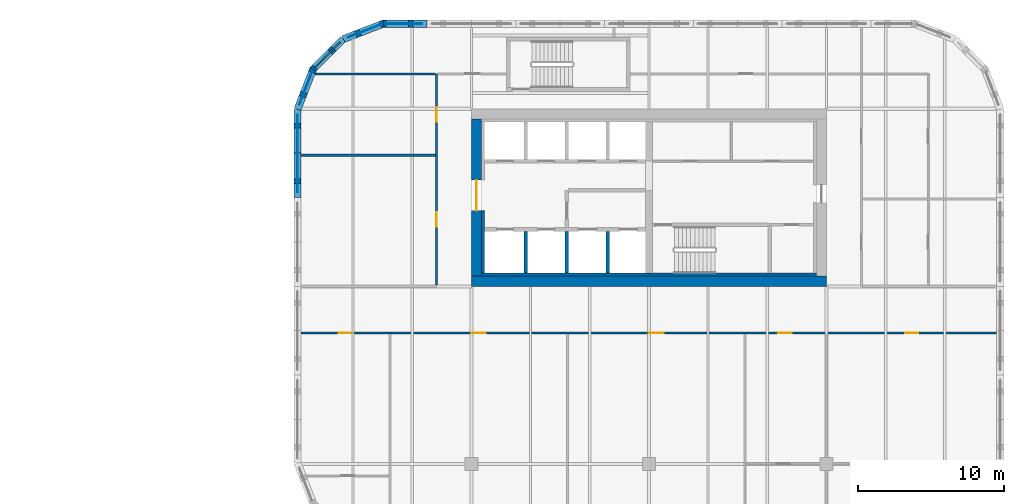
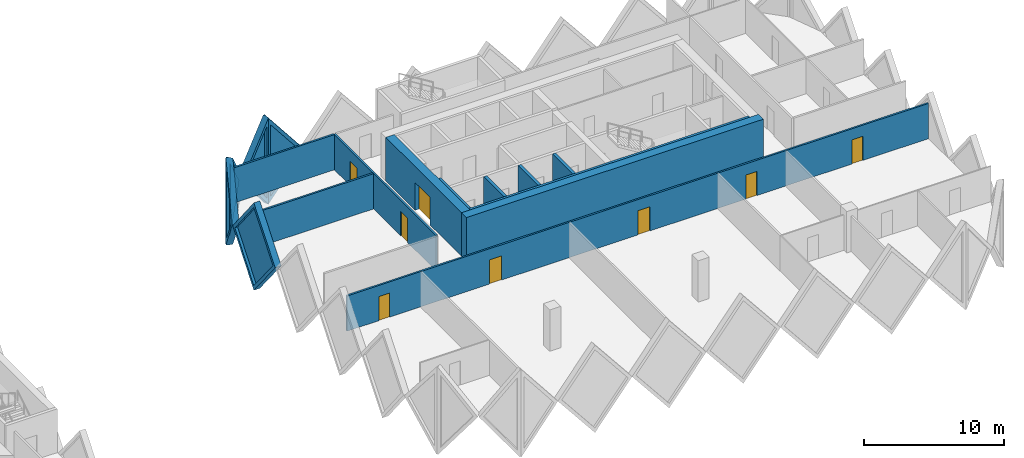
# One storey, part 12 of 18: 16 walls, 8 doors, 5 plates, 13 openings.
"""IFC4 building model written with IfcOpenShell, lengths in metres."""

from ifc_helpers import new_model, si_unit, direction, frame, frame_2d, origin, place, context, subcontext, project, spatial, polyline, rectangle, outline, extrude, faceted_brep, source, transform, mapped, material, layer, layer_set, type_object, element, fill, save


model = new_model("IFC4")

# Units and contexts
model_context = context("Model", 3, precision=1e-05, world=origin(), true_north=direction((0.0, 1.0)))
body_context = subcontext(model_context, "Body", "Model", "MODEL_VIEW")
ifc_project = project(units=[si_unit("LENGTHUNIT", "METRE"), si_unit("AREAUNIT", "SQUARE_METRE"), si_unit("VOLUMEUNIT", "CUBIC_METRE"), si_unit("PLANEANGLEUNIT", "RADIAN"), si_unit("MASSUNIT", "GRAM", prefix="KILO")], contexts=[model_context])

# Site, building, storey
site_placement = place(None, origin())
site = spatial("IfcSite", under=ifc_project, at=site_placement, CompositionType="ELEMENT")
building_placement = place(site_placement, origin())
building = spatial("IfcBuilding", under=site, at=building_placement, Name="Tessera Gate Towers", CompositionType="ELEMENT")
storey_placement = place(building_placement, frame((0.0, 0.0, 41.0)))
storey = spatial("IfcBuildingStorey", under=building, at=storey_placement, Name="L09", CompositionType="ELEMENT", Elevation=41.0)

# Walls
ifc_material_1 = material(Name="Concrete C40/50", Category="concrete")
ifc_layer_1 = layer(ifc_material_1, 0.25)
ifc_layer_set_1 = layer_set([ifc_layer_1], Name="CORE ENCLOSURE WALL 250")
wall_type_1 = type_object("IfcWallType", Name="CORE ENCLOSURE WALL 250", PredefinedType="SOLIDWALL", material=ifc_layer_set_1)
for number, where, z_axis, x_axis, name in (
    (1, (104.14990234375, 37.5, 0.0), (0.0, 0.0, 1.0), (0.0, 1.0, 0.0), "L09 shaft and stair enclosure wall"),
    (2, (101.324951171875, 37.5, 0.0), (0.0, 0.0, 1.0), (0.0, 1.0, 0.0), "L09 shaft and stair enclosure wall"),
    (3, (106.97509765625, 37.5, 0.0), (0.0, 0.0, 1.0), (0.0, 1.0, 0.0), "L09 shaft and stair enclosure wall"),
):
    element("IfcWall", number, at=place(storey_placement, frame(where, z_axis=z_axis, x_axis=x_axis)), inside=storey, type_object=wall_type_1, Name=name, PredefinedType="SOLIDWALL", context=body_context, shape_type="SweptSolid", body=[
        extrude(rectangle(XDim=2.875, YDim=0.25, at=frame_2d((1.4375, 0.0))), origin(), (0.0, 0.0, 1.0), 3.800048828125),
    ])
ifc_material_2 = material(Name="Concrete C60/75", Category="concrete")
ifc_layer_2 = layer(ifc_material_2, 0.699951171875)
ifc_layer_set_2 = layer_set([ifc_layer_2], Name="CORE SHEAR WALL 700 C60/75")
wall_type_2 = type_object("IfcWallType", Name="CORE SHEAR WALL 700 C60/75", PredefinedType="SHEAR", material=ifc_layer_set_2)
wall_1_placement = place(storey_placement, frame((122.0, 36.949951171875, 0.0), z_axis=(0.0, 0.0, 1.0), x_axis=(-1.0, 0.0, 0.0)))
element("IfcWall", 4, at=wall_1_placement, inside=storey, type_object=wall_type_2, Name="Core wall S L09", PredefinedType="SHEAR", context=body_context, shape_type="SweptSolid", body=[
    extrude(rectangle(XDim=24.39990234375, YDim=0.699951171875, at=frame_2d((12.199951171875, 0.0))), origin(), (0.0, 0.0, 1.0), 3.800048828125),
])

# Wall, opening, door
wall_2_placement = place(storey_placement, frame((97.949951171875, 37.300048828125, 0.0), z_axis=(0.0, 0.0, 1.0), x_axis=(0.0, 1.0, 0.0)))
wall_2 = element("IfcWall", 5, at=wall_2_placement, inside=storey, type_object=wall_type_2, Name="Core wall W L09", PredefinedType="SHEAR", context=body_context, shape_type="SweptSolid", body=[
    extrude(rectangle(XDim=10.800048828125, YDim=0.699951171875, at=frame_2d((5.39990234375, 0.0))), origin(), (0.0, 0.0, 1.0), 3.800048828125),
])
shared_shape_1 = source(origin(), body_context, "Body", "SweptSolid", [
    extrude(rectangle(XDim=2.10009765625, YDim=2.39990234375, at=frame_2d((1.050048828125, 1.199951171875))), frame((0.0, 0.35986328125, 0.0), z_axis=(0.0, -1.0, 0.0), x_axis=(1.0, 0.0, 0.0)), (0.0, 0.0, 1.0), 0.719970703125),
])
opening_1_placement = place(wall_2_placement, frame((4.5, 0.0, 0.0)))
opening_1 = element("IfcOpeningElement", 6, at=opening_1_placement, cuts=wall_2, Name="Opening DD-T2-04-01", PredefinedType="OPENING", context=body_context, shape_type="MappedRepresentation", body=[
    mapped(shared_shape_1, transform((0.0, 0.0, 0.0), scale=1.0)),
])
ifc_material_3 = material(Name="Hollow steel fire door", Category="steel")
door_type_1 = type_object("IfcDoorType", Name="CORE DOOR DD 2100x2400", OperationType="NOTDEFINED", PredefinedType="DOOR", material=ifc_material_3)
shared_shape_2 = source(origin(), body_context, "Body", "SweptSolid", [
    extrude(rectangle(XDim=2.10009765625, YDim=2.39990234375, at=frame_2d((1.050048828125, 1.199951171875))), frame((0.0, 0.02490234375, 0.0), z_axis=(0.0, -1.0, 0.0), x_axis=(1.0, 0.0, 0.0)), (0.0, 0.0, 1.0), 0.050048828125),
])
door_1_placement = place(opening_1_placement, origin())
door_1 = element("IfcDoor", 7, at=door_1_placement, inside=storey, type_object=door_type_1, Name="Core entrance door", OperationType="DOUBLE_DOOR_SINGLE_SWING", OverallHeight=2.39990234375, OverallWidth=2.10009765625, PredefinedType="DOOR", context=body_context, shape_type="MappedRepresentation", body=[
    mapped(shared_shape_2, transform((0.0, 0.0, 0.0), scale=1.0)),
])
fill(opening_1, door_1)

# Walls
ifc_material_4 = material(Name="Concrete C60/75", Category="concrete")
ifc_layer_3 = layer(ifc_material_4, 0.199951171875)
ifc_layer_set_3 = layer_set([ifc_layer_3], Name="CORE WALL THICKENING 200")
wall_type_3 = type_object("IfcWallType", Name="CORE WALL THICKENING 200", PredefinedType="SOLIDWALL", material=ifc_layer_set_3)
wall_3_placement = place(storey_placement, frame((98.300048828125, 37.39990234375, 0.0), z_axis=(0.0, 0.0, 1.0), x_axis=(1.0, 0.0, 0.0)))
element("IfcWall", 8, at=wall_3_placement, inside=storey, type_object=wall_type_3, Name="Core wall thickening S L09", PredefinedType="SOLIDWALL", context=body_context, shape_type="SweptSolid", body=[
    extrude(rectangle(XDim=23.0, YDim=0.199951171875, at=frame_2d((11.5, 0.0))), origin(), (0.0, 0.0, 1.0), 3.800048828125),
])
wall_4_placement = place(storey_placement, frame((98.39990234375, 37.5, 0.0), z_axis=(0.0, 0.0, 1.0), x_axis=(0.0, 1.0, 0.0)))
element("IfcWall", 9, at=wall_4_placement, inside=storey, type_object=wall_type_3, Name="Core wall thickening W L09", PredefinedType="SOLIDWALL", context=body_context, shape_type="SweptSolid", body=[
    extrude(rectangle(XDim=4.300048828125, YDim=0.199951171875, at=frame_2d((2.14990234375, 0.0))), origin(), (0.0, 0.0, 1.0), 3.800048828125),
])

# Wall, openings, doors
ifc_material_5 = material(Name="Gypsum board on steel studs, mineral wool", Category="steel")
ifc_layer_4 = layer(ifc_material_5, 0.14990234375)
ifc_layer_set_4 = layer_set([ifc_layer_4], Name="CORRIDOR WALL 150")
wall_type_4 = type_object("IfcWallType", Name="CORRIDOR WALL 150", PredefinedType="PARTITIONING", material=ifc_layer_set_4)
wall_5_placement = place(storey_placement, frame((133.699951171875, 33.39990234375, 0.0), z_axis=(0.0, 0.0, 1.0), x_axis=(-1.0, 0.0, 0.0)))
wall_5 = element("IfcWall", 10, at=wall_5_placement, inside=storey, type_object=wall_type_4, Name="T2-L09-PW-011", PredefinedType="PARTITIONING", context=body_context, shape_type="SweptSolid", body=[
    extrude(rectangle(XDim=47.800048828125, YDim=0.14990234375, at=frame_2d((23.89990234375, 0.0))), origin(), (0.0, 0.0, 1.0), 3.06689453125),
])
shared_shape_3 = source(origin(), body_context, "Body", "SweptSolid", [
    extrude(rectangle(XDim=0.89990234375, YDim=2.10009765625, at=frame_2d((0.449951171875, 1.050048828125))), frame((0.0, 0.0849609375, 0.0), z_axis=(0.0, -1.0, 0.0), x_axis=(1.0, 0.0, 0.0)), (0.0, 0.0, 1.0), 0.169921875),
])
opening_2_placement = place(wall_5_placement, frame((14.09912109375, 0.0, 0.0)))
opening_2 = element("IfcOpeningElement", 11, at=opening_2_placement, cuts=wall_5, Name="Opening D890FD60-B04-01", PredefinedType="OPENING", context=body_context, shape_type="MappedRepresentation", body=[
    mapped(shared_shape_3, transform((0.0, 0.0, 0.0), scale=1.0)),
])
opening_3_placement = place(wall_5_placement, frame((44.300048828125, 0.0, 0.0)))
opening_3 = element("IfcOpeningElement", 12, at=opening_3_placement, cuts=wall_5, Name="Opening D890FD60-B04-02", PredefinedType="OPENING", context=body_context, shape_type="MappedRepresentation", body=[
    mapped(shared_shape_3, transform((0.0, 0.0, 0.0), scale=1.0)),
])
opening_4_placement = place(wall_5_placement, frame((5.39990234375, 0.0, 0.0)))
opening_4 = element("IfcOpeningElement", 13, at=opening_4_placement, cuts=wall_5, Name="Opening D890FD60-B04-03", PredefinedType="OPENING", context=body_context, shape_type="MappedRepresentation", body=[
    mapped(shared_shape_3, transform((0.0, 0.0, 0.0), scale=1.0)),
])
shared_shape_4 = source(origin(), body_context, "Body", "SweptSolid", [
    extrude(rectangle(XDim=1.0, YDim=2.10009765625, at=frame_2d((0.5, 1.050048828125))), frame((0.0, 0.0849609375, 0.0), z_axis=(0.0, -1.0, 0.0), x_axis=(1.0, 0.0, 0.0)), (0.0, 0.0, 1.0), 0.169921875),
])
opening_5_placement = place(wall_5_placement, frame((22.89892578125, 0.0, 0.0)))
opening_5 = element("IfcOpeningElement", 14, at=opening_5_placement, cuts=wall_5, Name="Opening D2100FD60-B04-05", PredefinedType="OPENING", context=body_context, shape_type="MappedRepresentation", body=[
    mapped(shared_shape_4, transform((0.0, 0.0, 0.0), scale=1.0)),
])
opening_6_placement = place(wall_5_placement, frame((35.10009765625, 0.0, 0.0)))
opening_6 = element("IfcOpeningElement", 15, at=opening_6_placement, cuts=wall_5, Name="Opening D2100FD60-B04-06", PredefinedType="OPENING", context=body_context, shape_type="MappedRepresentation", body=[
    mapped(shared_shape_4, transform((0.0, 0.0, 0.0), scale=1.0)),
])
ifc_material_6 = material(Name="Timber door leaf in steel frame", Category="steel")
door_type_2 = type_object("IfcDoorType", Name="CORRIDOR DOOR 900 FD60", OperationType="NOTDEFINED", PredefinedType="DOOR", material=ifc_material_6)
shared_shape_5 = source(origin(), body_context, "Body", "SweptSolid", [
    extrude(rectangle(XDim=0.89990234375, YDim=2.10009765625, at=frame_2d((0.449951171875, 1.050048828125))), frame((0.0, 0.02490234375, 0.0), z_axis=(0.0, -1.0, 0.0), x_axis=(1.0, 0.0, 0.0)), (0.0, 0.0, 1.0), 0.050048828125),
])
door_2_placement = place(opening_2_placement, origin())
door_2 = element("IfcDoor", 16, at=door_2_placement, inside=storey, type_object=door_type_2, Name="T2-L09-PD-004", OperationType="SINGLE_SWING_RIGHT", OverallHeight=2.10009765625, OverallWidth=0.89990234375, PredefinedType="DOOR", context=body_context, shape_type="MappedRepresentation", body=[
    mapped(shared_shape_5, transform((0.0, 0.0, 0.0), scale=1.0)),
])
fill(opening_2, door_2)
door_3_placement = place(opening_3_placement, origin())
door_3 = element("IfcDoor", 17, at=door_3_placement, inside=storey, type_object=door_type_2, Name="T2-L09-PD-009", OperationType="SINGLE_SWING_RIGHT", OverallHeight=2.10009765625, OverallWidth=0.89990234375, PredefinedType="DOOR", context=body_context, shape_type="MappedRepresentation", body=[
    mapped(shared_shape_5, transform((0.0, 0.0, 0.0), scale=1.0)),
])
fill(opening_3, door_3)
door_4_placement = place(opening_4_placement, origin())
door_4 = element("IfcDoor", 18, at=door_4_placement, inside=storey, type_object=door_type_2, Name="T2-L09-PD-012", OperationType="SINGLE_SWING_RIGHT", OverallHeight=2.10009765625, OverallWidth=0.89990234375, PredefinedType="DOOR", context=body_context, shape_type="MappedRepresentation", body=[
    mapped(shared_shape_5, transform((0.0, 0.0, 0.0), scale=1.0)),
])
fill(opening_4, door_4)
ifc_material_7 = material(Name="Timber door leaf in steel frame", Category="steel")
door_type_3 = type_object("IfcDoorType", Name="TENANCY ENTRANCE DOOR 1000 FD60", OperationType="NOTDEFINED", PredefinedType="DOOR", material=ifc_material_7)
shared_shape_6 = source(origin(), body_context, "Body", "SweptSolid", [
    extrude(rectangle(XDim=1.0, YDim=2.10009765625, at=frame_2d((0.5, 1.050048828125))), frame((0.0, 0.02490234375, 0.0), z_axis=(0.0, -1.0, 0.0), x_axis=(1.0, 0.0, 0.0)), (0.0, 0.0, 1.0), 0.050048828125),
])
door_5_placement = place(opening_5_placement, origin())
door_5 = element("IfcDoor", 19, at=door_5_placement, inside=storey, type_object=door_type_3, Name="T2-L09-PD-013", OperationType="SINGLE_SWING_RIGHT", OverallHeight=2.10009765625, OverallWidth=1.0, PredefinedType="DOOR", context=body_context, shape_type="MappedRepresentation", body=[
    mapped(shared_shape_6, transform((0.0, 0.0, 0.0), scale=1.0)),
])
fill(opening_5, door_5)
door_6_placement = place(opening_6_placement, origin())
door_6 = element("IfcDoor", 20, at=door_6_placement, inside=storey, type_object=door_type_3, Name="T2-L09-PD-014", OperationType="SINGLE_SWING_RIGHT", OverallHeight=2.10009765625, OverallWidth=1.0, PredefinedType="DOOR", context=body_context, shape_type="MappedRepresentation", body=[
    mapped(shared_shape_6, transform((0.0, 0.0, 0.0), scale=1.0)),
])
fill(opening_6, door_6)

wall_6_placement = place(storey_placement, frame((95.199951171875, 36.676025390625, 0.0), z_axis=(0.0, 0.0, 1.0), x_axis=(0.0, 1.0, 0.0)))
wall_6 = element("IfcWall", 21, at=wall_6_placement, inside=storey, type_object=wall_type_4, Name="T2-L09-PW-015", PredefinedType="PARTITIONING", context=body_context, shape_type="SweptSolid", body=[
    extrude(rectangle(XDim=14.52392578125, YDim=0.14990234375, at=frame_2d((7.261962890625, 0.0))), origin(), (0.0, 0.0, 1.0), 3.06689453125),
])
opening_7_placement = place(wall_6_placement, frame((11.22509765625, 0.0, 0.0)))
opening_7 = element("IfcOpeningElement", 22, at=opening_7_placement, cuts=wall_6, Name="Opening D2100FD60-B04-02", PredefinedType="OPENING", context=body_context, shape_type="MappedRepresentation", body=[
    mapped(shared_shape_4, transform((0.0, 0.0, 0.0), scale=1.0)),
])
opening_8_placement = place(wall_6_placement, frame((4.0, 0.0, 0.0)))
opening_8 = element("IfcOpeningElement", 23, at=opening_8_placement, cuts=wall_6, Name="Opening D2100FD60-B04-07", PredefinedType="OPENING", context=body_context, shape_type="MappedRepresentation", body=[
    mapped(shared_shape_4, transform((0.0, 0.0, 0.0), scale=1.0)),
])
door_7_placement = place(opening_7_placement, origin())
door_7 = element("IfcDoor", 24, at=door_7_placement, inside=storey, type_object=door_type_3, Name="T2-L09-PD-005", OperationType="SINGLE_SWING_LEFT", OverallHeight=2.10009765625, OverallWidth=1.0, PredefinedType="DOOR", context=body_context, shape_type="MappedRepresentation", body=[
    mapped(shared_shape_6, transform((0.0, 0.0, 0.0), scale=1.0)),
])
fill(opening_7, door_7)
door_8_placement = place(opening_8_placement, origin())
door_8 = element("IfcDoor", 25, at=door_8_placement, inside=storey, type_object=door_type_3, Name="T2-L09-PD-017", OperationType="SINGLE_SWING_LEFT", OverallHeight=2.10009765625, OverallWidth=1.0, PredefinedType="DOOR", context=body_context, shape_type="MappedRepresentation", body=[
    mapped(shared_shape_6, transform((0.0, 0.0, 0.0), scale=1.0)),
])
fill(opening_8, door_8)

# Walls
ifc_material_8 = material(Name="Gypsum board on steel studs, mineral wool", Category="steel")
ifc_layer_5 = layer(ifc_material_8, 0.14990234375)
ifc_layer_set_5 = layer_set([ifc_layer_5], Name="TENANCY WALL 150")
wall_type_5 = type_object("IfcWallType", Name="TENANCY WALL 150", PredefinedType="PARTITIONING", material=ifc_layer_set_5)
wall_7_placement = place(storey_placement, frame((85.89990234375, 45.60009765625, 0.0), z_axis=(0.0, 0.0, 1.0), x_axis=(1.0, 0.0, 0.0)))
element("IfcWall", 26, at=wall_7_placement, inside=storey, type_object=wall_type_5, Name="T2-L09-PW-019", PredefinedType="PARTITIONING", context=body_context, shape_type="SweptSolid", body=[
    extrude(rectangle(XDim=9.22412109375, YDim=0.14990234375, at=frame_2d((4.612060546875, 0.0))), origin(), (0.0, 0.0, 1.0), 3.06689453125),
])
wall_8_placement = place(storey_placement, frame((86.86181640625, 51.199951171875, 0.0), z_axis=(0.0, 0.0, 1.0), x_axis=(1.0, 0.0, 0.0)))
element("IfcWall", 27, at=wall_8_placement, inside=storey, type_object=wall_type_5, Name="T2-L09-PW-020", PredefinedType="PARTITIONING", context=body_context, shape_type="SweptSolid", body=[
    extrude(rectangle(XDim=8.26220703125, YDim=0.14990234375, at=frame_2d((4.131103515625, 0.0))), origin(), (0.0, 0.0, 1.0), 3.06689453125),
])

# Wall, opening, plate
ifc_material_9 = material(Name="Precast concrete C60/75 white", Category="concrete")
ifc_layer_6 = layer(ifc_material_9, 0.5)
ifc_layer_set_6 = layer_set([ifc_layer_6], Name="TS1 tessera")
wall_type_6 = type_object("IfcWallType", Name="TS1 tessera", PredefinedType="SOLIDWALL", material=ifc_layer_set_6)
shared_shape_7 = source(origin(), body_context, "Body", "Brep", [
    faceted_brep([(3.00341796875, -0.25, 0.0), (6.053466796875, -0.25, 3.800048828125), (3.00341796875, -0.25, 7.60009765625), (0.0, -0.25, 3.800048828125), (0.046630859375, 0.25, 3.85888671875), (3.00341796875, 0.25, 7.60009765625), (6.053466796875, 0.25, 3.800048828125), (3.00341796875, 0.25, 0.0), (0.046630859375, 0.25, 3.7412109375), (0.0, 0.0, 3.800048828125)], [[[0, 1, 2, 3]], [[4, 5, 6, 7, 8]], [[7, 6, 1, 0]], [[6, 5, 2, 1]], [[5, 4, 9, 3, 2]], [[8, 7, 0, 3, 9]], [[8, 9, 4]]]),
])
wall_9_placement = place(storey_placement, frame((85.64990234375, 48.75341796875, -3.800048828125), z_axis=(0.0, 0.0, 1.0), x_axis=(0.0, -1.0, 0.0)))
wall_9 = element("IfcWall", 28, at=wall_9_placement, inside=storey, type_object=wall_type_6, Name="Precast tessera T2 TS1-0086", PredefinedType="SOLIDWALL", context=body_context, shape_type="MappedRepresentation", body=[
    mapped(shared_shape_7, transform((0.0, 0.0, 0.0), scale=1.0)),
])
shared_shape_8 = source(origin(), body_context, "Body", "SweptSolid", [
    extrude(outline(polyline([(3.0048828125, 0.4013671875), (5.73291015625, 3.800048828125), (3.0048828125, 7.19873046875), (0.318603515625, 3.800048828125), (3.0048828125, 0.4013671875)])), frame((0.0, 0.260009765625, 0.0), z_axis=(0.0, -1.0, 0.0), x_axis=(1.0, 0.0, 0.0)), (0.0, 0.0, 1.0), 0.52001953125),
])
opening_9_placement = place(wall_9_placement, origin())
opening_9 = element("IfcOpeningElement", 29, at=opening_9_placement, cuts=wall_9, Name="Opening T2-PL2-0164", PredefinedType="OPENING", context=body_context, shape_type="MappedRepresentation", body=[
    mapped(shared_shape_8, transform((0.0, 0.0, 0.0), scale=1.0)),
])
ifc_material_10 = material(Name="Low-e laminated glass", Category="glass")
ifc_layer_7 = layer(ifc_material_10, 0.06005859375)
ifc_layer_set_7 = layer_set([ifc_layer_7], Name="PL2 rhombic pane")
plate_type = type_object("IfcPlateType", Name="PL2 rhombic pane", PredefinedType="SHEET", material=ifc_layer_set_7)
shared_shape_9 = source(origin(), body_context, "Body", "SweptSolid", [
    extrude(outline(polyline([(3.0048828125, 0.4013671875), (5.73291015625, 3.800048828125), (3.0048828125, 7.19873046875), (0.318603515625, 3.800048828125), (3.0048828125, 0.4013671875)])), frame((0.0, 0.030029296875, 0.0), z_axis=(0.0, -1.0, 0.0), x_axis=(1.0, 0.0, 0.0)), (0.0, 0.0, 1.0), 0.06005859375),
])
plate_1_placement = place(opening_9_placement, origin())
plate_1 = element("IfcPlate", 30, at=plate_1_placement, inside=storey, type_object=plate_type, Name="Glass pane T2 PL2-0164", PredefinedType="SHEET", context=body_context, shape_type="MappedRepresentation", body=[
    mapped(shared_shape_9, transform((0.0, 0.0, 0.0), scale=1.0)),
])
fill(opening_9, plate_1)

ifc_material_11 = material(Name="Precast concrete C60/75 white", Category="concrete")
ifc_layer_8 = layer(ifc_material_11, 0.5)
ifc_layer_set_8 = layer_set([ifc_layer_8], Name="TS3 corner tessera")
wall_type_7 = type_object("IfcWallType", Name="TS3 corner tessera", PredefinedType="SOLIDWALL", material=ifc_layer_set_8)
shared_shape_10 = source(origin(), body_context, "Body", "Brep", [
    faceted_brep([(3.00341796875, -0.25, 0.0), (3.050048828125, -0.25, 0.06005859375), (3.050048828125, -0.25, 7.5400390625), (3.00341796875, -0.25, 7.60009765625), (0.0, -0.25, 3.800048828125), (0.0, 0.25, 3.800048828125), (2.956787109375, 0.25, 7.541259765625), (2.956787109375, 0.25, 0.058837890625), (3.00341796875, 0.000244140625, 0.0), (3.00341796875, 0.000244140625, 7.60009765625)], [[[0, 1, 2, 3, 4]], [[5, 6, 7]], [[1, 0, 8]], [[9, 3, 2]], [[6, 5, 4, 3, 9]], [[5, 7, 8, 0, 4]], [[1, 8, 7, 6, 9, 2]]]),
])
wall_10_placement = place(storey_placement, frame((94.550048828125, 54.64990234375, -3.800048828125), z_axis=(0.0, 0.0, 1.0), x_axis=(-1.0, 0.0, 0.0)))
wall_10 = element("IfcWall", 31, at=wall_10_placement, inside=storey, type_object=wall_type_7, Name="Precast corner tessera T2 TS3-0123", PredefinedType="SOLIDWALL", context=body_context, shape_type="MappedRepresentation", body=[
    mapped(shared_shape_10, transform((0.0, 0.0, 0.0), scale=1.0)),
])
shared_shape_11 = source(origin(), body_context, "Body", "SweptSolid", [
    extrude(outline(polyline([(2.803466796875, 6.94384765625), (0.318603515625, 3.800048828125), (2.803466796875, 0.65625), (2.803466796875, 6.94384765625)])), frame((0.0, 0.260009765625, 0.0), z_axis=(0.0, -1.0, 0.0), x_axis=(1.0, 0.0, 0.0)), (0.0, 0.0, 1.0), 0.52001953125),
])
opening_10_placement = place(wall_10_placement, origin())
opening_10 = element("IfcOpeningElement", 32, at=opening_10_placement, cuts=wall_10, Name="Opening T2-PL2-0160", PredefinedType="OPENING", context=body_context, shape_type="MappedRepresentation", body=[
    mapped(shared_shape_11, transform((0.0, 0.0, 0.0), scale=1.0)),
])
shared_shape_12 = source(origin(), body_context, "Body", "SweptSolid", [
    extrude(outline(polyline([(2.803466796875, 6.94384765625), (0.318603515625, 3.800048828125), (2.803466796875, 0.65625), (2.803466796875, 6.94384765625)])), frame((0.0, 0.030029296875, 0.0), z_axis=(0.0, -1.0, 0.0), x_axis=(1.0, 0.0, 0.0)), (0.0, 0.0, 1.0), 0.06005859375),
])
plate_2_placement = place(opening_10_placement, origin())
plate_2 = element("IfcPlate", 33, at=plate_2_placement, inside=storey, type_object=plate_type, Name="Glass pane T2 PL2-0160", PredefinedType="SHEET", context=body_context, shape_type="MappedRepresentation", body=[
    mapped(shared_shape_12, transform((0.0, 0.0, 0.0), scale=1.0)),
])
fill(opening_10, plate_2)

shared_shape_13 = source(origin(), body_context, "Body", "Brep", [
    faceted_brep([(0.052978515625, -0.25, 0.0), (3.00341796875, -0.25, 3.800048828125), (0.052978515625, -0.25, 7.60009765625), (0.0, -0.25, 7.53173828125), (0.0, -0.25, 0.068359375), (0.10595703125, 0.25, 7.531982421875), (2.95703125, 0.25, 3.85986328125), (2.95703125, 0.25, 3.740234375), (0.10595703125, 0.25, 0.068115234375), (3.00341796875, 0.00048828125, 3.800048828125), (0.052978515625, 0.0, 0.0), (0.052978515625, 0.0, 7.60009765625)], [[[0, 1, 2, 3, 4]], [[5, 6, 7, 8]], [[8, 7, 9, 1, 0, 10]], [[6, 5, 11, 2, 1, 9]], [[3, 2, 11]], [[10, 0, 4]], [[8, 10, 4, 3, 11, 5]], [[9, 7, 6]]]),
])
wall_11_placement = place(storey_placement, frame((86.73095703125, 51.5556640625, -3.800048828125), z_axis=(0.0, 0.0, 1.0), x_axis=(-0.359855894603, -0.933007896601, 0.0)))
wall_11 = element("IfcWall", 34, at=wall_11_placement, inside=storey, type_object=wall_type_7, Name="Precast corner tessera T2 TS3-0126", PredefinedType="SOLIDWALL", context=body_context, shape_type="MappedRepresentation", body=[
    mapped(shared_shape_13, transform((0.0, 0.0, 0.0), scale=1.0)),
])
shared_shape_14 = source(origin(), body_context, "Body", "SweptSolid", [
    extrude(outline(polyline([(0.2529296875, 0.665283203125), (2.68701171875, 3.800048828125), (0.2529296875, 6.934814453125), (0.2529296875, 0.665283203125)])), frame((0.0, 0.260009765625, 0.0), z_axis=(0.0, -1.0, 0.0), x_axis=(1.0, 0.0, 0.0)), (0.0, 0.0, 1.0), 0.52001953125),
])
opening_11_placement = place(wall_11_placement, origin())
opening_11 = element("IfcOpeningElement", 35, at=opening_11_placement, cuts=wall_11, Name="Opening T2-PL2-0163", PredefinedType="OPENING", context=body_context, shape_type="MappedRepresentation", body=[
    mapped(shared_shape_14, transform((0.0, 0.0, 0.0), scale=1.0)),
])
shared_shape_15 = source(origin(), body_context, "Body", "SweptSolid", [
    extrude(outline(polyline([(0.2529296875, 0.665283203125), (2.68701171875, 3.800048828125), (0.2529296875, 6.934814453125), (0.2529296875, 0.665283203125)])), frame((0.0, 0.030029296875, 0.0), z_axis=(0.0, -1.0, 0.0), x_axis=(1.0, 0.0, 0.0)), (0.0, 0.0, 1.0), 0.06005859375),
])
plate_3_placement = place(opening_11_placement, origin())
plate_3 = element("IfcPlate", 36, at=plate_3_placement, inside=storey, type_object=plate_type, Name="Glass pane T2 PL2-0163", PredefinedType="SHEET", context=body_context, shape_type="MappedRepresentation", body=[
    mapped(shared_shape_15, transform((0.0, 0.0, 0.0), scale=1.0)),
])
fill(opening_11, plate_3)

shared_shape_16 = source(origin(), body_context, "Body", "Brep", [
    faceted_brep([(2.944091796875, -0.25, 0.0), (2.9970703125, -0.25, 0.068115234375), (2.9970703125, -0.25, 7.531982421875), (2.944091796875, -0.25, 7.60009765625), (0.0, -0.25, 3.800048828125), (0.052978515625, 0.25, 3.868408203125), (2.89111328125, 0.25, 7.531982421875), (2.89111328125, 0.25, 0.068115234375), (0.052978515625, 0.25, 3.731689453125), (2.944091796875, 0.000244140625, 0.0), (2.944091796875, 0.000244140625, 7.60009765625), (0.0, 0.0, 3.800048828125)], [[[0, 1, 2, 3, 4]], [[5, 6, 7, 8]], [[1, 0, 9]], [[10, 3, 2]], [[6, 5, 11, 4, 3, 10]], [[8, 7, 9, 0, 4, 11]], [[8, 11, 5]], [[1, 9, 7, 6, 10, 2]]]),
])
wall_12_placement = place(storey_placement, frame((88.793701171875, 53.588134765625, -3.800048828125), z_axis=(0.0, 0.0, 1.0), x_axis=(-0.707066050402, -0.707147509625, 0.0)))
wall_12 = element("IfcWall", 37, at=wall_12_placement, inside=storey, type_object=wall_type_7, Name="Precast corner tessera T2 TS3-0125", PredefinedType="SOLIDWALL", context=body_context, shape_type="MappedRepresentation", body=[
    mapped(shared_shape_16, transform((0.0, 0.0, 0.0), scale=1.0)),
])
shared_shape_17 = source(origin(), body_context, "Body", "SweptSolid", [
    extrude(outline(polyline([(2.744140625, 6.933837890625), (0.316162109375, 3.800048828125), (2.744140625, 0.666259765625), (2.744140625, 6.933837890625)])), frame((0.0, 0.260009765625, 0.0), z_axis=(0.0, -1.0, 0.0), x_axis=(1.0, 0.0, 0.0)), (0.0, 0.0, 1.0), 0.52001953125),
])
opening_12_placement = place(wall_12_placement, origin())
opening_12 = element("IfcOpeningElement", 38, at=opening_12_placement, cuts=wall_12, Name="Opening T2-PL2-0162", PredefinedType="OPENING", context=body_context, shape_type="MappedRepresentation", body=[
    mapped(shared_shape_17, transform((0.0, 0.0, 0.0), scale=1.0)),
])
shared_shape_18 = source(origin(), body_context, "Body", "SweptSolid", [
    extrude(outline(polyline([(2.744140625, 6.933837890625), (0.316162109375, 3.800048828125), (2.744140625, 0.666259765625), (2.744140625, 6.933837890625)])), frame((0.0, 0.030029296875, 0.0), z_axis=(0.0, -1.0, 0.0), x_axis=(1.0, 0.0, 0.0)), (0.0, 0.0, 1.0), 0.06005859375),
])
plate_4_placement = place(opening_12_placement, origin())
plate_4 = element("IfcPlate", 39, at=plate_4_placement, inside=storey, type_object=plate_type, Name="Glass pane T2 PL2-0162", PredefinedType="SHEET", context=body_context, shape_type="MappedRepresentation", body=[
    mapped(shared_shape_18, transform((0.0, 0.0, 0.0), scale=1.0)),
])
fill(opening_12, plate_4)

shared_shape_19 = source(origin(), body_context, "Body", "Brep", [
    faceted_brep([(0.046630859375, -0.25, 0.0), (2.9970703125, -0.25, 3.800048828125), (0.046630859375, -0.25, 7.60009765625), (0.0, -0.25, 7.541259765625), (0.0, -0.25, 0.058837890625), (0.09326171875, 0.25, 7.5400390625), (2.9443359375, 0.25, 3.8681640625), (2.9443359375, 0.25, 3.73193359375), (0.09326171875, 0.25, 0.06005859375), (2.9970703125, 0.00048828125, 3.800048828125), (0.046630859375, 0.0, 0.0), (0.046630859375, 0.0, 7.60009765625)], [[[0, 1, 2, 3, 4]], [[5, 6, 7, 8]], [[8, 7, 9, 1, 0, 10]], [[6, 5, 11, 2, 1, 9]], [[3, 2, 11]], [[10, 0, 4]], [[8, 10, 4, 3, 11, 5]], [[9, 7, 6]]]),
])
wall_13_placement = place(storey_placement, frame((91.590087890625, 54.666748046875, -3.800048828125), z_axis=(0.0, 0.0, 1.0), x_axis=(-0.933000876937, -0.359874094142, 0.0)))
wall_13 = element("IfcWall", 40, at=wall_13_placement, inside=storey, type_object=wall_type_7, Name="Precast corner tessera T2 TS3-0124", PredefinedType="SOLIDWALL", context=body_context, shape_type="MappedRepresentation", body=[
    mapped(shared_shape_19, transform((0.0, 0.0, 0.0), scale=1.0)),
])
shared_shape_20 = source(origin(), body_context, "Body", "SweptSolid", [
    extrude(outline(polyline([(0.24658203125, 0.665283203125), (2.6806640625, 3.800048828125), (0.24658203125, 6.934814453125), (0.24658203125, 0.665283203125)])), frame((0.0, 0.260009765625, 0.0), z_axis=(0.0, -1.0, 0.0), x_axis=(1.0, 0.0, 0.0)), (0.0, 0.0, 1.0), 0.52001953125),
])
opening_13_placement = place(wall_13_placement, origin())
opening_13 = element("IfcOpeningElement", 41, at=opening_13_placement, cuts=wall_13, Name="Opening T2-PL2-0161", PredefinedType="OPENING", context=body_context, shape_type="MappedRepresentation", body=[
    mapped(shared_shape_20, transform((0.0, 0.0, 0.0), scale=1.0)),
])
shared_shape_21 = source(origin(), body_context, "Body", "SweptSolid", [
    extrude(outline(polyline([(0.24658203125, 0.665283203125), (2.6806640625, 3.800048828125), (0.24658203125, 6.934814453125), (0.24658203125, 0.665283203125)])), frame((0.0, 0.030029296875, 0.0), z_axis=(0.0, -1.0, 0.0), x_axis=(1.0, 0.0, 0.0)), (0.0, 0.0, 1.0), 0.06005859375),
])
plate_5_placement = place(opening_13_placement, origin())
plate_5 = element("IfcPlate", 42, at=plate_5_placement, inside=storey, type_object=plate_type, Name="Glass pane T2 PL2-0161", PredefinedType="SHEET", context=body_context, shape_type="MappedRepresentation", body=[
    mapped(shared_shape_21, transform((0.0, 0.0, 0.0), scale=1.0)),
])
fill(opening_13, plate_5)

save(model, "model.ifc")
